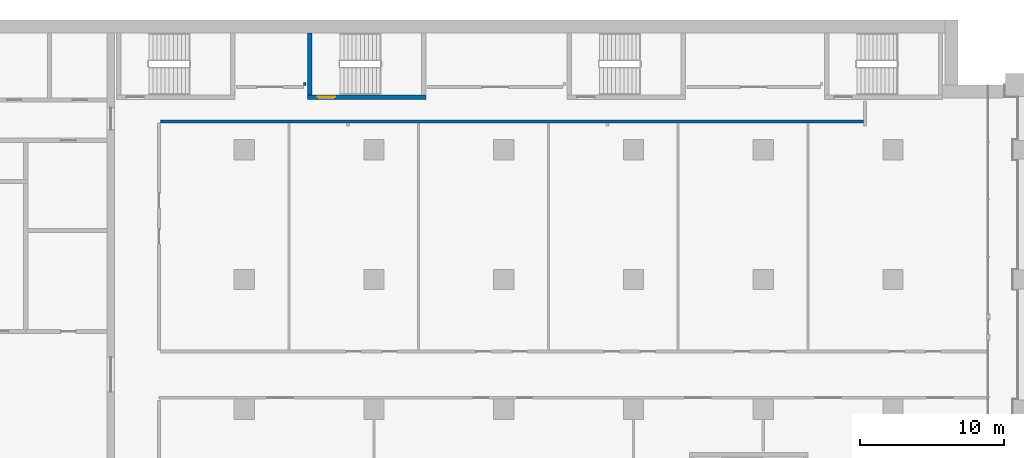
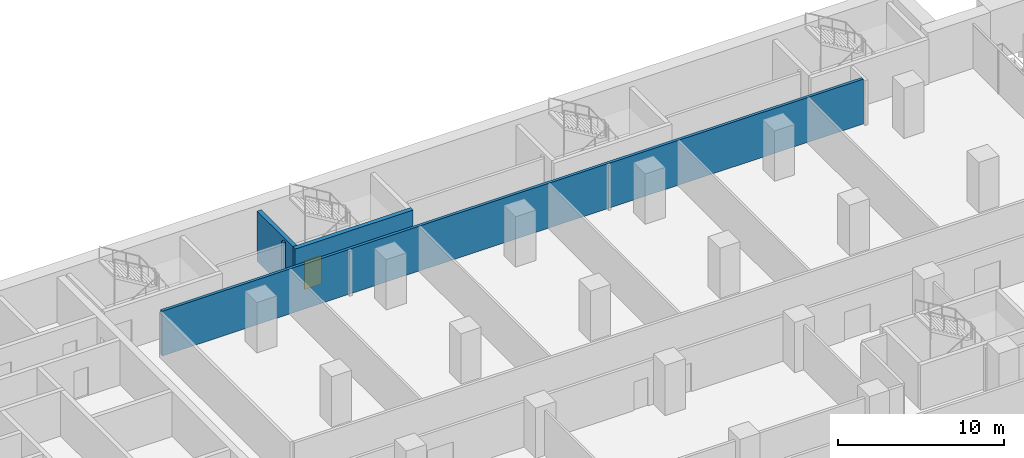
# One storey, part 16 of 29: 4 walls, 1 door, 1 opening.
"""IFC4 building model written with IfcOpenShell, lengths in metres."""

from ifc_helpers import new_model, si_unit, direction, frame, frame_2d, origin, place, context, subcontext, project, spatial, rectangle, extrude, material, layer, layer_set, type_object, element, fill, save


model = new_model("IFC4")

# Units and contexts
model_context = context("Model", 3, precision=1e-05, world=origin(), true_north=direction((0.0, 1.0)))
body_context = subcontext(model_context, "Body", "Model", "MODEL_VIEW")
ifc_project = project(units=[si_unit("LENGTHUNIT", "METRE"), si_unit("AREAUNIT", "SQUARE_METRE"), si_unit("VOLUMEUNIT", "CUBIC_METRE"), si_unit("PLANEANGLEUNIT", "RADIAN"), si_unit("MASSUNIT", "GRAM", prefix="KILO")], contexts=[model_context])

# Site, building, storey
site_placement = place(None, origin())
site = spatial("IfcSite", under=ifc_project, at=site_placement, CompositionType="ELEMENT")
building_placement = place(site_placement, origin())
building = spatial("IfcBuilding", under=site, at=building_placement, Name="Hunhe Ridgeline Campus", CompositionType="ELEMENT")
storey_placement = place(building_placement, frame((0.0, 0.0, 46.89990234375)))
storey = spatial("IfcBuildingStorey", under=building, at=storey_placement, Name="L10", CompositionType="ELEMENT", Elevation=46.89990234375)

# Walls
ifc_material_1 = material(Name="Gypsum board partition")
ifc_layer_1 = layer(ifc_material_1, 0.199951171875)
ifc_layer_set_1 = layer_set([ifc_layer_1], Name="Corridor partition 200 gypsum board on steel studs")
wall_type_1 = type_object("IfcWallType", Name="Corridor partition 200 gypsum board on steel studs", PredefinedType="PARTITIONING", material=ifc_layer_set_1)
wall_1_placement = place(storey_placement, frame((87.949951171875, 91.949951171875, 0.0), z_axis=(0.0, 0.0, 1.0), x_axis=(-1.0, 0.0, 0.0)))
element("IfcWall", 1, at=wall_1_placement, inside=storey, type_object=wall_type_1, Name="F-L10-wall-051", PredefinedType="PARTITIONING", context=body_context, shape_type="SweptSolid", body=[
    extrude(rectangle(XDim=48.75, YDim=0.199951171875, at=frame_2d((24.375, 0.0))), origin(), (0.0, 0.0, 1.0), 3.300048828125),
])
ifc_layer_2 = layer(ifc_material_1, 0.14990234375)
ifc_layer_set_2 = layer_set([ifc_layer_2], Name="Room partition 150 gypsum board on steel studs")
wall_type_2 = type_object("IfcWallType", Name="Room partition 150 gypsum board on steel studs", PredefinedType="PARTITIONING", material=ifc_layer_set_2)
wall_2_placement = place(storey_placement, frame((49.199951171875, 94.64990234375, 0.0), z_axis=(0.0, 0.0, 1.0), x_axis=(0.0, -1.0, 0.0)))
element("IfcWall", 2, at=wall_2_placement, inside=storey, type_object=wall_type_2, Name="F-L10-wall-073", PredefinedType="PARTITIONING", context=body_context, shape_type="SweptSolid", body=[
    extrude(rectangle(XDim=0.199951171875, YDim=0.14990234375, at=frame_2d((0.10009765625, 0.0))), origin(), (0.0, 0.0, 1.0), 3.300048828125),
])

# Wall, opening, door
ifc_material_2 = material(Name="Concrete C80", Category="concrete")
ifc_layer_3 = layer(ifc_material_2, 0.300048828125)
ifc_layer_set_3 = layer_set([ifc_layer_3], Name="Stair wall 300 reinforced concrete C80")
wall_type_3 = type_object("IfcWallType", Name="Stair wall 300 reinforced concrete C80", PredefinedType="SOLIDWALL", material=ifc_layer_set_3)
wall_3_placement = place(storey_placement, frame((49.39990234375, 93.64990234375, -0.39990234375), z_axis=(0.0, 0.0, 1.0), x_axis=(1.0, 0.0, 0.0)))
wall_3 = element("IfcWall", 3, at=wall_3_placement, inside=storey, type_object=wall_type_3, Name="L10 core wall 31", PredefinedType="SOLIDWALL", context=body_context, shape_type="SweptSolid", body=[
    extrude(rectangle(XDim=8.2001953125, YDim=0.300048828125, at=frame_2d((4.10009765625, 0.0))), origin(), (0.0, 0.0, 1.0), 3.699951171875),
])
opening_placement = place(wall_3_placement, frame((0.699951171875, 0.0, 0.39990234375)))
opening = element("IfcOpeningElement", 4, at=opening_placement, cuts=wall_3, Name="Opening CD18", PredefinedType="OPENING", context=body_context, shape_type="SweptSolid", body=[
    extrude(rectangle(XDim=1.199951171875, YDim=2.10009765625, at=frame_2d((0.60009765625, 1.050048828125))), frame((0.0, 0.14990234375, 0.0), z_axis=(0.0, -1.0, 0.0), x_axis=(1.0, 0.0, 0.0)), (0.0, 0.0, 1.0), 0.300048828125),
])
ifc_material_3 = material(Name="Hollow metal fire door leaf")
door_type = type_object("IfcDoorType", Name="Stair door 1200x2100 FD60", OperationType="SINGLE_SWING_LEFT", PredefinedType="DOOR", material=ifc_material_3)
door_placement = place(opening_placement, frame((1.199951171875, 0.0, 0.0), z_axis=(0.0, 0.0, 1.0), x_axis=(-1.0, 0.0, 0.0)))
door = element("IfcDoor", 5, at=door_placement, inside=storey, type_object=door_type, Name="L10 door E2", OperationType="SINGLE_SWING_LEFT", OverallHeight=2.10009765625, OverallWidth=1.199951171875, PredefinedType="DOOR", context=body_context, shape_type="SweptSolid", body=[
    extrude(rectangle(XDim=1.199951171875, YDim=2.10009765625, at=frame_2d((0.60009765625, 1.050048828125))), frame((0.0, 0.02490234375, 0.0), z_axis=(0.0, -1.0, 0.0), x_axis=(1.0, 0.0, 0.0)), (0.0, 0.0, 1.0), 0.050048828125),
])
fill(opening, door)

# Wall
wall_4_placement = place(storey_placement, frame((49.550048828125, 93.800048828125, -0.39990234375), z_axis=(0.0, 0.0, 1.0), x_axis=(0.0, 1.0, 0.0)))
element("IfcWall", 6, at=wall_4_placement, inside=storey, type_object=wall_type_3, Name="L10 core wall 67", PredefinedType="SOLIDWALL", context=body_context, shape_type="SweptSolid", body=[
    extrude(rectangle(XDim=4.300048828125, YDim=0.300048828125, at=frame_2d((2.14990234375, 0.0))), origin(), (0.0, 0.0, 1.0), 3.699951171875),
])

save(model, "model.ifc")
